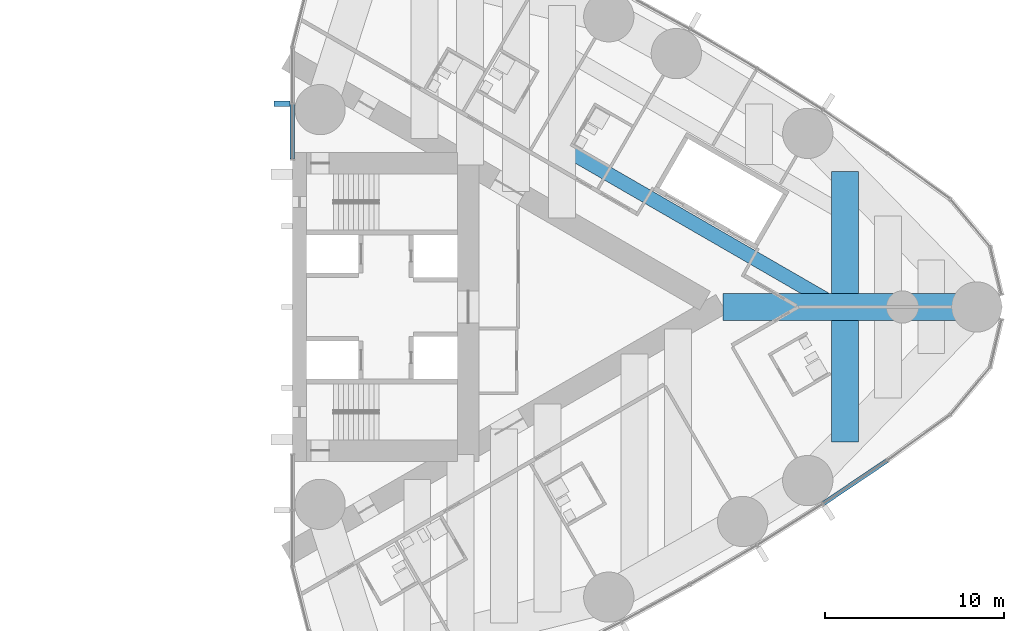
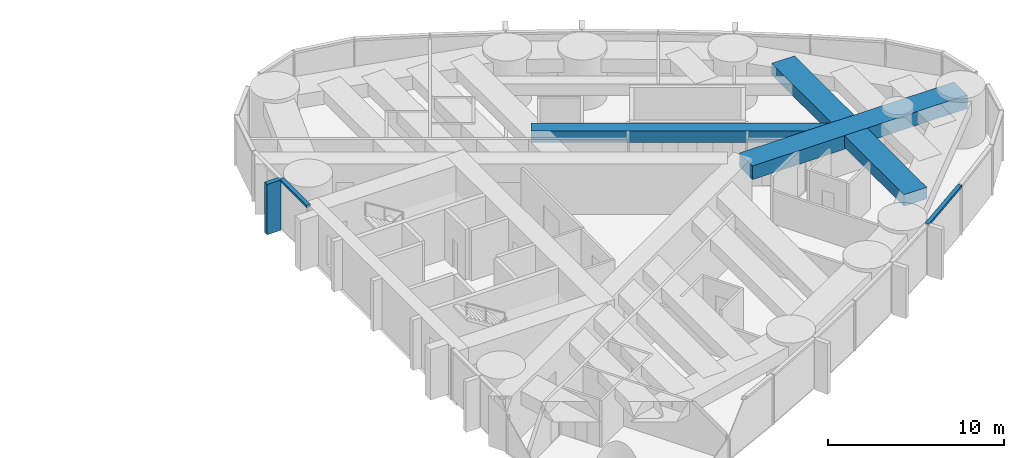
# One storey, part 7 of 19: 4 beams, 3 members, 2 elements without a shape of their own.
"""IFC4 building model written with IfcOpenShell, lengths in metres."""

from ifc_helpers import new_model, si_unit, direction, frame, origin, origin_2d, place, context, subcontext, project, spatial, rectangle, hollow_rectangle, extrude, material, material_profile, profile_set, type_object, element, aggregate, save


model = new_model("IFC4")

# Units and contexts
model_context = context("Model", 3, precision=1e-05, world=origin(), true_north=direction((0.0, 1.0)))
body_context = subcontext(model_context, "Body", "Model", "MODEL_VIEW")
ifc_project = project(units=[si_unit("LENGTHUNIT", "METRE"), si_unit("AREAUNIT", "SQUARE_METRE"), si_unit("VOLUMEUNIT", "CUBIC_METRE"), si_unit("PLANEANGLEUNIT", "RADIAN"), si_unit("MASSUNIT", "GRAM", prefix="KILO")], contexts=[model_context])

# Site, building, storey
site_placement = place(None, origin())
site = spatial("IfcSite", under=ifc_project, at=site_placement, CompositionType="ELEMENT")
building_placement = place(site_placement, origin())
building = spatial("IfcBuilding", under=site, at=building_placement, Name="Lancet Gate Hotel", CompositionType="ELEMENT")
storey_placement = place(building_placement, frame((0.0, 0.0, 184.300048828125)))
storey = spatial("IfcBuildingStorey", under=building, at=storey_placement, Name="L49", CompositionType="ELEMENT", Elevation=184.300048828125)

# Curtain wall, member
ifc_material_1 = material(Name="Aluminium curtain wall", Category="aluminium")
curtain_wall_type = type_object("IfcCurtainWallType", Name="Tower unitised curtain wall", PredefinedType="USERDEFINED", material=ifc_material_1)
curtain_wall_1_placement = place(storey_placement, origin())
curtain_wall_1 = element("IfcCurtainWall", 1, at=curtain_wall_1_placement, inside=storey, type_object=curtain_wall_type, Name="T2 L49 curtain wall 2", ObjectType="UNITISED CURTAIN WALL", PredefinedType="USERDEFINED")
ifc_material_2 = material(Name="Aluminium transom", Category="aluminium")
ifc_material_profile_1 = material_profile(ifc_material_2, rectangle(XDim=0.25, YDim=0.14990234375, at=origin_2d()), Name="TRANSOM 250x150")
ifc_profile_set_1 = profile_set([ifc_material_profile_1], Name="Aluminium transom")
member_type_1 = type_object("IfcMemberType", Name="Aluminium transom 250x150", PredefinedType="USERDEFINED", material=ifc_profile_set_1)
member_1_placement = place(storey_placement, frame((57.093994140625, -10.952880859375, 3.425048828125), z_axis=(0.829046850689, 0.559179147826, 0.0), x_axis=(-0.559179147826, 0.829046850689, 0.0)))
member_1 = element("IfcMember", 2, at=member_1_placement, type_object=member_type_1, Name="T2 L49 curtain wall 2 transom 8", ObjectType="TRANSOM", PredefinedType="USERDEFINED", context=body_context, shape_type="SweptSolid", body=[
    extrude(rectangle(XDim=0.25, YDim=0.14990234375, at=origin_2d()), origin(), (0.0, 0.0, 1.0), 4.26904296875),
])
aggregate(curtain_wall_1, [member_1])

# Curtain wall, members
curtain_wall_2_placement = place(storey_placement, origin())
curtain_wall_2 = element("IfcCurtainWall", 3, at=curtain_wall_2_placement, inside=storey, type_object=curtain_wall_type, Name="T2 L49 curtain wall 4", ObjectType="UNITISED CURTAIN WALL", PredefinedType="USERDEFINED")
member_2_placement = place(storey_placement, frame((27.5, 11.30029296875, 3.425048828125), z_axis=(0.0, -1.0, 0.0), x_axis=(1.0, 0.0, 0.0)))
member_2 = element("IfcMember", 4, at=member_2_placement, type_object=member_type_1, Name="T2 L49 curtain wall 4 transom 4", ObjectType="TRANSOM", PredefinedType="USERDEFINED", context=body_context, shape_type="SweptSolid", body=[
    extrude(rectangle(XDim=0.25, YDim=0.14990234375, at=origin_2d()), origin(), (0.0, 0.0, 1.0), 3.06787109375),
])
ifc_material_3 = material(Name="Precast concrete C50/60", Category="concrete")
ifc_material_profile_2 = material_profile(ifc_material_3, rectangle(XDim=0.300048828125, YDim=0.89990234375, at=origin_2d()), Name="FIN 300x900")
ifc_profile_set_2 = profile_set([ifc_material_profile_2], Name="Precast concrete C50/60")
member_type_2 = type_object("IfcMemberType", Name="Exposed concrete fin 300x900", PredefinedType="USERDEFINED", material=ifc_profile_set_2)
member_3_placement = place(storey_placement, frame((26.925048828125, 11.332763671875, 0.0), z_axis=(0.0, 0.0, 1.0), x_axis=(0.0, -1.0, 0.0)))
member_3 = element("IfcMember", 5, at=member_3_placement, type_object=member_type_2, Name="T2 L49 curtain wall 4 fin 4", ObjectType="FIN", PredefinedType="USERDEFINED", context=body_context, shape_type="SweptSolid", body=[
    extrude(rectangle(XDim=0.300048828125, YDim=0.89990234375, at=origin_2d()), origin(), (0.0, 0.0, 1.0), 3.5),
])
aggregate(curtain_wall_2, [member_3, member_2])

# Beams
ifc_material_4 = material(Name="Concrete C50/60", Category="concrete")
ifc_material_profile_3 = material_profile(ifc_material_4, rectangle(XDim=1.5, YDim=0.800048828125, at=origin_2d()), Name="RC 1500x800")
ifc_profile_set_3 = profile_set([ifc_material_profile_3], Name="Concrete C50/60")
beam_type_1 = type_object("IfcBeamType", Name="Floor beam RC 1500x800", PredefinedType="BEAM", material=ifc_profile_set_3)
for number, where, z_axis, x_axis, name in (
    (6, (58.30224609375, -7.534912109375, 2.849853515625), (0.0, 1.0, 0.0), (-1.0, 0.0, 0.0), "T2 floor beam F12S L49"),
    (7, (58.30224609375, 0.75, 2.849853515625), (0.0, 1.0, 0.0), (-1.0, 0.0, 0.0), "T2 floor beam F13N L49"),
):
    element("IfcBeam", number, at=place(storey_placement, frame(where, z_axis=z_axis, x_axis=x_axis)), inside=storey, type_object=beam_type_1, Name=name, PredefinedType="BEAM", context=body_context, shape_type="SweptSolid", body=[
        extrude(rectangle(XDim=1.5, YDim=0.800048828125, at=origin_2d()), origin(), (0.0, 0.0, 1.0), 6.784912109375),
    ])
ifc_material_5 = material(Name="Concrete C50/60", Category="concrete")
ifc_material_profile_4 = material_profile(ifc_material_5, rectangle(XDim=1.5, YDim=0.949951171875, at=origin_2d()), Name="RC 1500x950")
ifc_profile_set_4 = profile_set([ifc_material_profile_4], Name="Concrete C50/60")
beam_type_2 = type_object("IfcBeamType", Name="Radial floor beam RC 1500x950", PredefinedType="BEAM", material=ifc_profile_set_4)
beam_1_placement = place(storey_placement, frame((65.6396484375, 0.0, 2.77490234375), z_axis=(-1.0, 0.0, 0.0), x_axis=(0.0, -1.0, 0.0)))
element("IfcBeam", 8, at=beam_1_placement, inside=storey, type_object=beam_type_2, Name="T2 radial beam CA L49", PredefinedType="BEAM", context=body_context, shape_type="SweptSolid", body=[
    extrude(rectangle(XDim=1.5, YDim=0.949951171875, at=origin_2d()), origin(), (0.0, 0.0, 1.0), 14.137451171875),
])
ifc_material_6 = material(Name="Steel S460QL", Category="steel")
ifc_material_profile_5 = material_profile(ifc_material_6, hollow_rectangle(XDim=0.800048828125, YDim=0.800048828125, WallThickness=0.080078125, at=origin_2d()), Name="BOX 800x800x80")
ifc_profile_set_5 = profile_set([ifc_material_profile_5], Name="Steel S460QL")
beam_type_3 = type_object("IfcBeamType", Name="Trimmer beam BOX 800x800x80", PredefinedType="BEAM", material=ifc_profile_set_5)
beam_2_placement = place(storey_placement, frame((42.51904296875, 8.90185546875, 2.849853515625), z_axis=(0.865994419471, -0.500053662566, 0.0), x_axis=(0.500053662566, 0.865994419471, 0.0)))
element("IfcBeam", 9, at=beam_2_placement, inside=storey, type_object=beam_type_3, Name="T2 trimmer beam TR02N L49", PredefinedType="BEAM", context=body_context, shape_type="SweptSolid", body=[
    extrude(hollow_rectangle(XDim=0.800048828125, YDim=0.800048828125, WallThickness=0.080078125, at=origin_2d()), origin(), (0.0, 0.0, 1.0), 17.8017578125),
])

save(model, "model.ifc")
